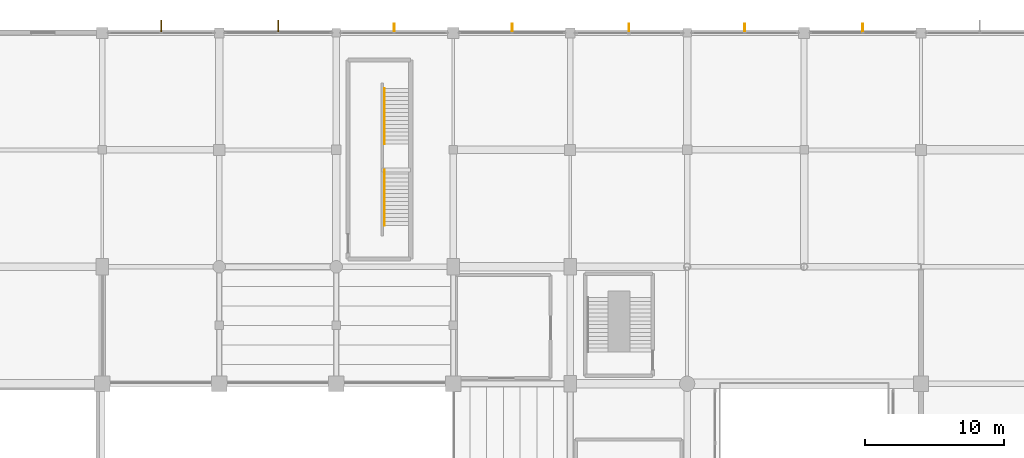
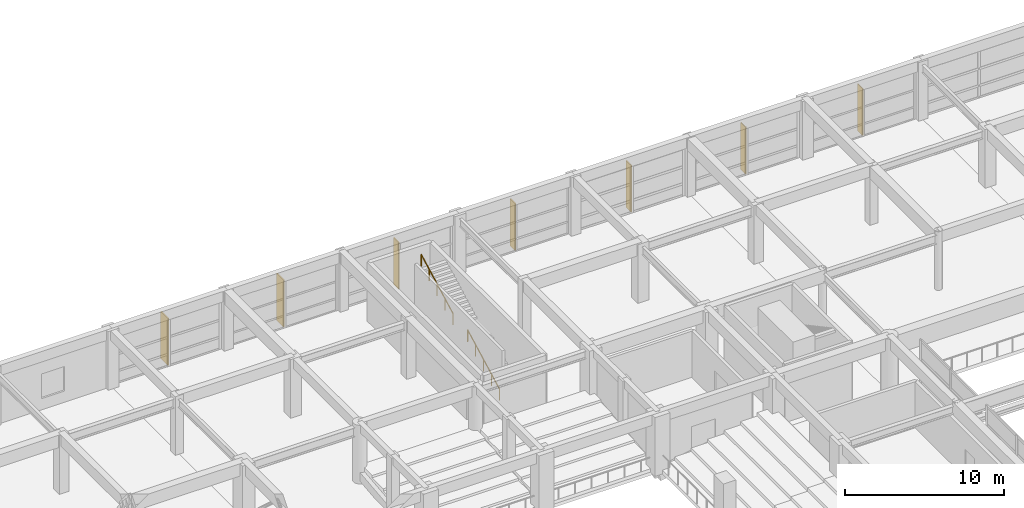
# One storey, part 60 of 62: 7 shading devices, 2 railings.
"""IFC4 building model written with IfcOpenShell, lengths in metres."""

from ifc_helpers import new_model, si_unit, direction, frame, origin, origin_2d, place, context, subcontext, project, spatial, rectangle, circle, extrude, material, type_object, element, save


model = new_model("IFC4")

# Units and contexts
model_context = context("Model", 3, precision=1e-05, world=origin(), true_north=direction((0.0, 1.0)))
body_context = subcontext(model_context, "Body", "Model", "MODEL_VIEW")
ifc_project = project(units=[si_unit("LENGTHUNIT", "METRE"), si_unit("AREAUNIT", "SQUARE_METRE"), si_unit("VOLUMEUNIT", "CUBIC_METRE"), si_unit("PLANEANGLEUNIT", "RADIAN"), si_unit("MASSUNIT", "GRAM", prefix="KILO")], contexts=[model_context])

# Site, building, storey
site_placement = place(None, origin())
site = spatial("IfcSite", under=ifc_project, at=site_placement, CompositionType="ELEMENT")
building_placement = place(site_placement, origin())
building = spatial("IfcBuilding", under=site, at=building_placement, Name="Xuanlan Plaza Opera House", CompositionType="ELEMENT")
storey_placement = place(building_placement, frame((0.0, 0.0, 14.39990234375)))
storey = spatial("IfcBuildingStorey", under=building, at=storey_placement, Name="L03", CompositionType="ELEMENT", Elevation=14.39990234375)

# Shading devices
ifc_material_1 = material(Name="Anodised Aluminium 6063-T6", Category="aluminium")
shading_device_type_1 = type_object("IfcShadingDeviceType", Name="ENV-SHD-BRS01", PredefinedType="JALOUSIE", material=ifc_material_1)
for number, where, z_axis, x_axis, name in (
    (1, (121.824951171875, 101.125, 0.0400390625), (0.0, 0.0, 1.0), (0.0, 1.0, 0.0), "Parametric Sunshade Fin L03-0181"),
    (2, (113.35009765625, 101.125, 0.0400390625), (0.0, 0.0, 1.0), (0.0, 1.0, 0.0), "Parametric Sunshade Fin L03-0182"),
    (3, (105.02490234375, 101.125, 0.0400390625), (0.0, 0.0, 1.0), (0.0, 1.0, 0.0), "Parametric Sunshade Fin L03-0183"),
    (4, (96.625, 101.125, 0.0400390625), (0.0, 0.0, 1.0), (0.0, 1.0, 0.0), "Parametric Sunshade Fin L03-0184"),
    (5, (88.14990234375, 101.125, 0.0400390625), (0.0, 0.0, 1.0), (0.0, 1.0, 0.0), "Parametric Sunshade Fin L03-0185"),
):
    element("IfcShadingDevice", number, at=place(storey_placement, frame(where, z_axis=z_axis, x_axis=x_axis)), inside=storey, type_object=shading_device_type_1, Name=name, PredefinedType="JALOUSIE", context=body_context, shape_type="SweptSolid", body=[
        extrude(rectangle(XDim=0.639892578125, YDim=0.070068359375, at=origin_2d()), origin(), (0.0, 0.0, 1.0), 3.60009765625),
    ])
shading_device_type_2 = type_object("IfcShadingDeviceType", Name="ENV-SHD-BRS02", PredefinedType="JALOUSIE", material=ifc_material_1)
for number, where, z_axis, x_axis, name in (
    (6, (79.824951171875, 101.264892578125, 0.0400390625), (0.0, 0.0, 1.0), (0.0, 1.0, 0.0), "Parametric Sunshade Fin L03-0186"),
    (7, (71.425048828125, 101.264892578125, 0.0400390625), (0.0, 0.0, 1.0), (0.0, 1.0, 0.0), "Parametric Sunshade Fin L03-0187"),
):
    element("IfcShadingDevice", number, at=place(storey_placement, frame(where, z_axis=z_axis, x_axis=x_axis)), inside=storey, type_object=shading_device_type_2, Name=name, PredefinedType="JALOUSIE", context=body_context, shape_type="SweptSolid", body=[
        extrude(rectangle(XDim=0.919921875, YDim=0.080078125, at=origin_2d()), origin(), (0.0, 0.0, 1.0), 3.60009765625),
    ])

# Railings
ifc_material_2 = material(Name="Stainless Steel S30408", Category="steel")
railing_type = type_object("IfcRailingType", Name="INT-RL-HR01", PredefinedType="HANDRAIL", material=ifc_material_2)
for number, where, name in (
    (8, (87.4599609375, 86.969970703125, 0.150146484375), "Stair Handrail ST-P4 L03 Flight 1"),
    (9, (87.4599609375, 92.81005859375, 2.400146484375), "Stair Handrail ST-P4 L03 Flight 2"),
):
    element("IfcRailing", number, at=place(storey_placement, frame(where)), inside=storey, type_object=railing_type, Name=name, PredefinedType="HANDRAIL", context=body_context, shape_type="SweptSolid", body=[
        extrude(circle(Radius=0.02392578125, at=origin_2d()), frame((0.0, 0.0, 0.8759765625), z_axis=(0.0, 0.884931142248, 0.465721884261), x_axis=(-1.0, 0.0, 0.0)), (0.0, 0.0, 1.0), 4.5087890625),
        extrude(circle(Radius=0.02099609375, at=origin_2d()), origin(), (0.0, 0.0, 1.0), 0.851806640625),
        extrude(circle(Radius=0.02099609375, at=origin_2d()), frame((0.0, 0.99755859375, 0.52490234375)), (0.0, 0.0, 1.0), 0.851806640625),
        extrude(circle(Radius=0.02099609375, at=origin_2d()), frame((0.0, 1.9951171875, 1.0498046875)), (0.0, 0.0, 1.0), 0.851806640625),
        extrude(circle(Radius=0.02099609375, at=origin_2d()), frame((0.0, 2.992431640625, 1.574951171875)), (0.0, 0.0, 1.0), 0.851806640625),
        extrude(circle(Radius=0.02099609375, at=origin_2d()), frame((0.0, 3.989990234375, 2.099853515625)), (0.0, 0.0, 1.0), 0.851806640625),
    ])

save(model, "model.ifc")
